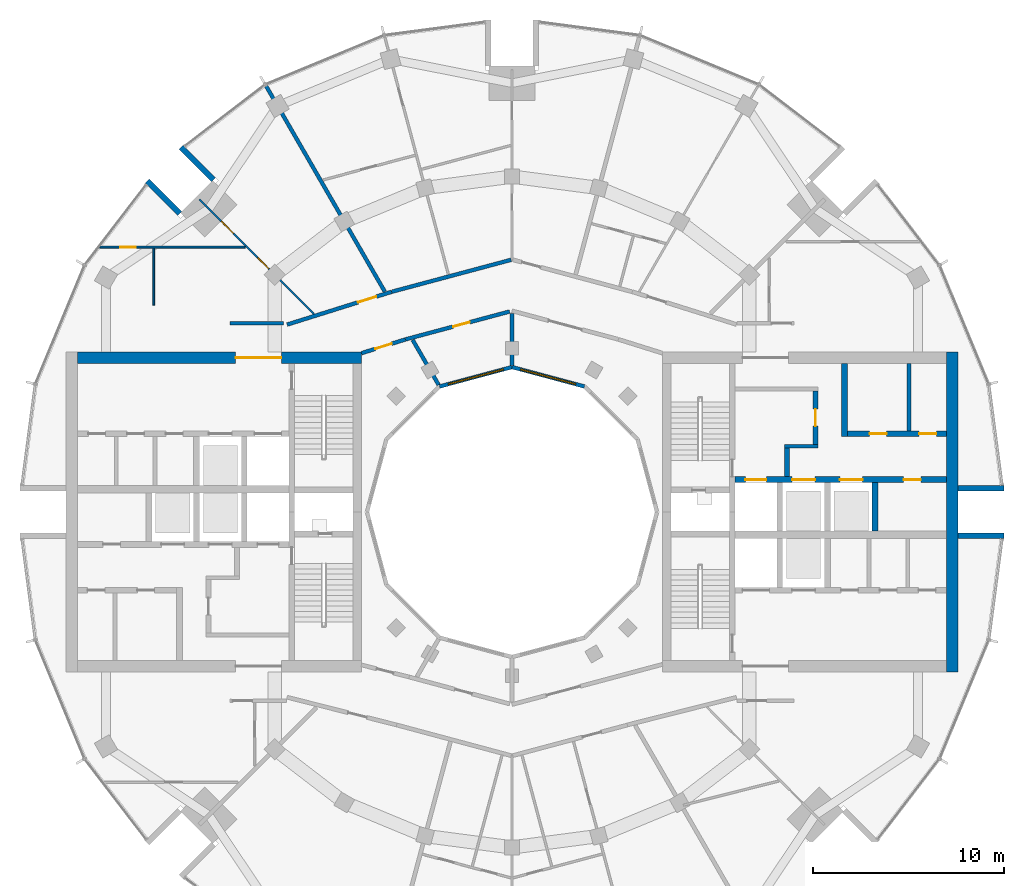
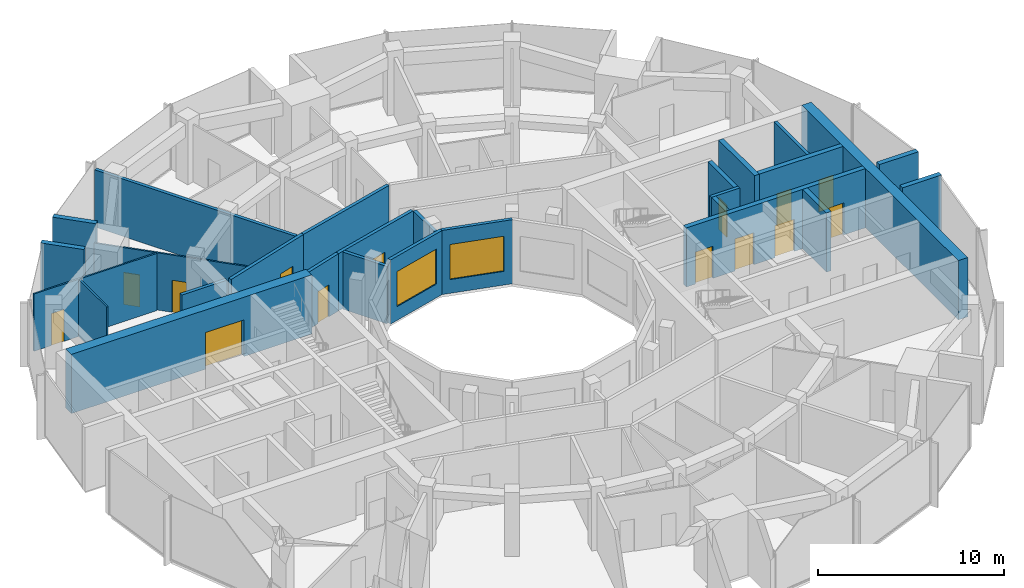
# One storey, part 11 of 15: 27 walls, 14 doors, 2 windows, 16 openings.
"""IFC4 building model written with IfcOpenShell, lengths in metres."""

from ifc_helpers import new_model, si_unit, direction, frame, frame_2d, origin, place, context, subcontext, project, spatial, rectangle, extrude, material, layer, layer_set, type_object, element, fill, save


model = new_model("IFC4")

# Units and contexts
model_context = context("Model", 3, precision=1e-05, world=origin(), true_north=direction((0.0, 1.0)))
body_context = subcontext(model_context, "Body", "Model", "MODEL_VIEW")
ifc_project = project(units=[si_unit("LENGTHUNIT", "METRE"), si_unit("AREAUNIT", "SQUARE_METRE"), si_unit("VOLUMEUNIT", "CUBIC_METRE"), si_unit("PLANEANGLEUNIT", "RADIAN"), si_unit("MASSUNIT", "GRAM", prefix="KILO")], contexts=[model_context])

# Site, building, storey
site_placement = place(None, origin())
site = spatial("IfcSite", under=ifc_project, at=site_placement, CompositionType="ELEMENT")
building_placement = place(site_placement, origin())
building = spatial("IfcBuilding", under=site, at=building_placement, Name="Torre Brocal", CompositionType="ELEMENT")
storey_placement = place(building_placement, frame((0.0, 0.0, 262.5)))
storey = spatial("IfcBuildingStorey", under=building, at=storey_placement, Name="L60", CompositionType="ELEMENT", Elevation=262.5)

# Walls
ifc_material_1 = material(Name="Masonry block", Category="masonry")
ifc_layer_1 = layer(ifc_material_1, 0.199951171875)
ifc_layer_set_1 = layer_set([ifc_layer_1], Name="Masonry block")
wall_type_1 = type_object("IfcWallType", Name="CORE PARTITION 200", PredefinedType="PARTITIONING", material=ifc_layer_set_1)
wall_1_placement = place(storey_placement, frame((100.823974609375, 79.25, 0.0), z_axis=(0.0, 0.0, 1.0), x_axis=(0.0, 1.0, 0.0)))
element("IfcWall", 1, at=wall_1_placement, inside=storey, type_object=wall_type_1, Name="Wall CP200", PredefinedType="PARTITIONING", context=body_context, shape_type="SweptSolid", body=[
    extrude(rectangle(XDim=3.550048828125, YDim=0.199951171875, at=frame_2d((1.77490234375, 0.0))), origin(), (0.0, 0.0, 1.0), 3.8798828125),
])
ifc_material_2 = material(Name="Concrete C60", Category="concrete")
ifc_layer_2 = layer(ifc_material_2, 0.199951171875)
ifc_layer_set_2 = layer_set([ifc_layer_2], Name="Concrete C60")
wall_type_2 = type_object("IfcWallType", Name="CORE WALL 200 C60", PredefinedType="SHEAR", material=ifc_layer_set_2)
wall_2_placement = place(storey_placement, frame((94.300048828125, 78.449951171875, 0.0), z_axis=(0.0, 0.0, 1.0), x_axis=(1.0, 0.0, 0.0)))
element("IfcWall", 2, at=wall_2_placement, inside=storey, type_object=wall_type_2, Name="Wall CW200-60", PredefinedType="SHEAR", context=body_context, shape_type="SweptSolid", body=[
    extrude(rectangle(XDim=1.75, YDim=0.199951171875, at=frame_2d((0.875, 0.0))), origin(), (0.0, 0.0, 1.0), 3.8798828125),
])

# Wall, opening, door
ifc_material_3 = material(Name="Concrete C60", Category="concrete")
ifc_layer_3 = layer(ifc_material_3, 0.25)
ifc_layer_set_3 = layer_set([ifc_layer_3], Name="Concrete C60")
wall_type_3 = type_object("IfcWallType", Name="CORE WALL 250 C60", PredefinedType="SHEAR", material=ifc_layer_set_3)
wall_3_placement = place(storey_placement, frame((95.925048828125, 78.550048828125, 0.0), z_axis=(0.0, 0.0, 1.0), x_axis=(0.0, 1.0, 0.0)))
wall_3 = element("IfcWall", 3, at=wall_3_placement, inside=storey, type_object=wall_type_3, Name="Wall CW250-60", PredefinedType="SHEAR", context=body_context, shape_type="SweptSolid", body=[
    extrude(rectangle(XDim=2.800048828125, YDim=0.25, at=frame_2d((1.39990234375, 0.0))), origin(), (0.0, 0.0, 1.0), 3.8798828125),
])
opening_1_placement = place(wall_3_placement, frame((0.949951171875, 0.0, 0.0)))
opening_1 = element("IfcOpeningElement", 4, at=opening_1_placement, cuts=wall_3, Name="Opening E-D08", PredefinedType="OPENING", context=body_context, shape_type="SweptSolid", body=[
    extrude(rectangle(XDim=0.89990234375, YDim=2.10009765625, at=frame_2d((0.449951171875, 1.050048828125))), frame((0.0, 0.135009765625, 0.0), z_axis=(0.0, -1.0, 0.0), x_axis=(1.0, 0.0, 0.0)), (0.0, 0.0, 1.0), 0.27001953125),
])
ifc_material_4 = material(Name="Steel A653", Category="steel")
door_type_1 = type_object("IfcDoorType", Name="LOBBY DOOR FD120 900X2100", OperationType="SINGLE_SWING_RIGHT", PredefinedType="DOOR", material=ifc_material_4)
door_1_placement = place(opening_1_placement, origin())
door_1 = element("IfcDoor", 5, at=door_1_placement, inside=storey, type_object=door_type_1, Name="Door E-D08", OperationType="SINGLE_SWING_LEFT", OverallHeight=2.10009765625, OverallWidth=0.89990234375, PredefinedType="DOOR", context=body_context, shape_type="SweptSolid", body=[
    extrude(rectangle(XDim=0.89990234375, YDim=2.10009765625, at=frame_2d((0.449951171875, 1.050048828125))), frame((0.0, 0.02490234375, 0.0), z_axis=(0.0, -1.0, 0.0), x_axis=(1.0, 0.0, 0.0)), (0.0, 0.0, 1.0), 0.050048828125),
])
fill(opening_1, door_1)

# Wall
wall_4_placement = place(storey_placement, frame((94.425048828125, 76.85009765625, 0.0), z_axis=(0.0, 0.0, 1.0), x_axis=(0.0, 1.0, 0.0)))
element("IfcWall", 6, at=wall_4_placement, inside=storey, type_object=wall_type_3, Name="Wall CW250-60", PredefinedType="SHEAR", context=body_context, shape_type="SweptSolid", body=[
    extrude(rectangle(XDim=1.5, YDim=0.25, at=frame_2d((0.75, 0.0))), origin(), (0.0, 0.0, 1.0), 3.8798828125),
])

# Wall, openings, doors
ifc_material_5 = material(Name="Concrete C60", Category="concrete")
ifc_layer_4 = layer(ifc_material_5, 0.300048828125)
ifc_layer_set_4 = layer_set([ifc_layer_4], Name="Concrete C60")
wall_type_4 = type_object("IfcWallType", Name="CORE WALL 300 C60", PredefinedType="SHEAR", material=ifc_layer_set_4)
wall_5_placement = place(storey_placement, frame((91.699951171875, 76.699951171875, 0.0), z_axis=(0.0, 0.0, 1.0), x_axis=(1.0, 0.0, 0.0)))
wall_5 = element("IfcWall", 7, at=wall_5_placement, inside=storey, type_object=wall_type_4, Name="Wall CW300-60", PredefinedType="SHEAR", context=body_context, shape_type="SweptSolid", body=[
    extrude(rectangle(XDim=11.10009765625, YDim=0.300048828125, at=frame_2d((5.550048828125, 0.0))), origin(), (0.0, 0.0, 1.0), 3.8798828125),
])
opening_2_placement = place(wall_5_placement, frame((0.550048828125, 0.0, 0.0)))
opening_2 = element("IfcOpeningElement", 8, at=opening_2_placement, cuts=wall_5, Name="Opening LD", PredefinedType="OPENING", context=body_context, shape_type="SweptSolid", body=[
    extrude(rectangle(XDim=1.10009765625, YDim=2.10009765625, at=frame_2d((0.550048828125, 1.050048828125))), frame((0.0, 0.159912109375, 0.0), z_axis=(0.0, -1.0, 0.0), x_axis=(1.0, 0.0, 0.0)), (0.0, 0.0, 1.0), 0.320068359375),
])
opening_3_placement = place(wall_5_placement, frame((3.0, 0.0, 0.0)))
opening_3 = element("IfcOpeningElement", 9, at=opening_3_placement, cuts=wall_5, Name="Opening LD12", PredefinedType="OPENING", context=body_context, shape_type="SweptSolid", body=[
    extrude(rectangle(XDim=1.199951171875, YDim=2.10009765625, at=frame_2d((0.60009765625, 1.050048828125))), frame((0.0, 0.159912109375, 0.0), z_axis=(0.0, -1.0, 0.0), x_axis=(1.0, 0.0, 0.0)), (0.0, 0.0, 1.0), 0.320068359375),
])
opening_4_placement = place(wall_5_placement, frame((5.5, 0.0, 0.0)))
opening_4 = element("IfcOpeningElement", 10, at=opening_4_placement, cuts=wall_5, Name="Opening LD12", PredefinedType="OPENING", context=body_context, shape_type="SweptSolid", body=[
    extrude(rectangle(XDim=1.199951171875, YDim=2.10009765625, at=frame_2d((0.60009765625, 1.050048828125))), frame((0.0, 0.159912109375, 0.0), z_axis=(0.0, -1.0, 0.0), x_axis=(1.0, 0.0, 0.0)), (0.0, 0.0, 1.0), 0.320068359375),
])
opening_5_placement = place(wall_5_placement, frame((8.85009765625, 0.0, 0.0)))
opening_5 = element("IfcOpeningElement", 11, at=opening_5_placement, cuts=wall_5, Name="Opening E-D04", PredefinedType="OPENING", context=body_context, shape_type="SweptSolid", body=[
    extrude(rectangle(XDim=0.89990234375, YDim=2.10009765625, at=frame_2d((0.449951171875, 1.050048828125))), frame((0.0, 0.159912109375, 0.0), z_axis=(0.0, -1.0, 0.0), x_axis=(1.0, 0.0, 0.0)), (0.0, 0.0, 1.0), 0.320068359375),
])
ifc_material_6 = material(Name="Stainless steel AISI 316", Category="steel")
door_type_2 = type_object("IfcDoorType", Name="LIFT LANDING DOOR 1100X2100", OperationType="DOUBLE_DOOR_SLIDING", PredefinedType="DOOR", material=ifc_material_6)
door_2_placement = place(opening_2_placement, origin())
door_2 = element("IfcDoor", 12, at=door_2_placement, inside=storey, type_object=door_type_2, Name="Door LD", OperationType="DOUBLE_DOOR_SLIDING", OverallHeight=2.10009765625, OverallWidth=1.10009765625, PredefinedType="DOOR", context=body_context, shape_type="SweptSolid", body=[
    extrude(rectangle(XDim=1.10009765625, YDim=2.10009765625, at=frame_2d((0.550048828125, 1.050048828125))), frame((0.0, 0.02490234375, 0.0), z_axis=(0.0, -1.0, 0.0), x_axis=(1.0, 0.0, 0.0)), (0.0, 0.0, 1.0), 0.050048828125),
])
fill(opening_2, door_2)
ifc_material_7 = material(Name="Stainless steel AISI 316", Category="steel")
door_type_3 = type_object("IfcDoorType", Name="LIFT LANDING DOOR 1200X2100", OperationType="DOUBLE_DOOR_SLIDING", PredefinedType="DOOR", material=ifc_material_7)
door_3_placement = place(opening_3_placement, origin())
door_3 = element("IfcDoor", 13, at=door_3_placement, inside=storey, type_object=door_type_3, Name="Door LD12", OperationType="DOUBLE_DOOR_SLIDING", OverallHeight=2.10009765625, OverallWidth=1.199951171875, PredefinedType="DOOR", context=body_context, shape_type="SweptSolid", body=[
    extrude(rectangle(XDim=1.199951171875, YDim=2.10009765625, at=frame_2d((0.60009765625, 1.050048828125))), frame((0.0, 0.02490234375, 0.0), z_axis=(0.0, -1.0, 0.0), x_axis=(1.0, 0.0, 0.0)), (0.0, 0.0, 1.0), 0.050048828125),
])
fill(opening_3, door_3)
door_4_placement = place(opening_4_placement, origin())
door_4 = element("IfcDoor", 14, at=door_4_placement, inside=storey, type_object=door_type_3, Name="Door LD12", OperationType="DOUBLE_DOOR_SLIDING", OverallHeight=2.10009765625, OverallWidth=1.199951171875, PredefinedType="DOOR", context=body_context, shape_type="SweptSolid", body=[
    extrude(rectangle(XDim=1.199951171875, YDim=2.10009765625, at=frame_2d((0.60009765625, 1.050048828125))), frame((0.0, 0.02490234375, 0.0), z_axis=(0.0, -1.0, 0.0), x_axis=(1.0, 0.0, 0.0)), (0.0, 0.0, 1.0), 0.050048828125),
])
fill(opening_4, door_4)
ifc_material_8 = material(Name="Steel A653", Category="steel")
door_type_4 = type_object("IfcDoorType", Name="ROOM DOOR FD30S 900X2100", OperationType="SINGLE_SWING_LEFT", PredefinedType="DOOR", material=ifc_material_8)
door_5_placement = place(opening_5_placement, frame((0.89990234375, 0.0, 0.0), z_axis=(0.0, 0.0, 1.0), x_axis=(-1.0, 0.0, 0.0)))
door_5 = element("IfcDoor", 15, at=door_5_placement, inside=storey, type_object=door_type_4, Name="Door E-D04", OperationType="SINGLE_SWING_LEFT", OverallHeight=2.10009765625, OverallWidth=0.89990234375, PredefinedType="DOOR", context=body_context, shape_type="SweptSolid", body=[
    extrude(rectangle(XDim=0.89990234375, YDim=2.10009765625, at=frame_2d((0.449951171875, 1.050048828125))), frame((0.0, 0.02490234375, 0.0), z_axis=(0.0, -1.0, 0.0), x_axis=(1.0, 0.0, 0.0)), (0.0, 0.0, 1.0), 0.050048828125),
])
fill(opening_5, door_5)

# Walls
wall_6_placement = place(storey_placement, frame((99.050048828125, 74.0, 0.0), z_axis=(0.0, 0.0, 1.0), x_axis=(0.0, 1.0, 0.0)))
element("IfcWall", 16, at=wall_6_placement, inside=storey, type_object=wall_type_4, Name="Wall CW300-60", PredefinedType="SHEAR", context=body_context, shape_type="SweptSolid", body=[
    extrude(rectangle(XDim=2.550048828125, YDim=0.300048828125, at=frame_2d((1.27490234375, 0.0))), origin(), (0.0, 0.0, 1.0), 3.8798828125),
])
wall_7_placement = place(storey_placement, frame((97.449951171875, 78.949951171875, 0.0), z_axis=(0.0, 0.0, 1.0), x_axis=(0.0, 1.0, 0.0)))
element("IfcWall", 17, at=wall_7_placement, inside=storey, type_object=wall_type_4, Name="Wall CW300-60", PredefinedType="SHEAR", context=body_context, shape_type="SweptSolid", body=[
    extrude(rectangle(XDim=3.85009765625, YDim=0.300048828125, at=frame_2d((1.925048828125, 0.0))), origin(), (0.0, 0.0, 1.0), 3.8798828125),
])

# Wall, openings, doors
wall_8_placement = place(storey_placement, frame((97.60009765625, 79.10009765625, 0.0), z_axis=(0.0, 0.0, 1.0), x_axis=(1.0, 0.0, 0.0)))
wall_8 = element("IfcWall", 18, at=wall_8_placement, inside=storey, type_object=wall_type_4, Name="Wall CW300-60", PredefinedType="SHEAR", context=body_context, shape_type="SweptSolid", body=[
    extrude(rectangle(XDim=5.199951171875, YDim=0.300048828125, at=frame_2d((2.60009765625, 0.0))), origin(), (0.0, 0.0, 1.0), 3.8798828125),
])
opening_6_placement = place(wall_8_placement, frame((1.162109375, 0.0, 0.0)))
opening_6 = element("IfcOpeningElement", 19, at=opening_6_placement, cuts=wall_8, Name="Opening E-D09", PredefinedType="OPENING", context=body_context, shape_type="SweptSolid", body=[
    extrude(rectangle(XDim=0.89990234375, YDim=2.10009765625, at=frame_2d((0.449951171875, 1.050048828125))), frame((0.0, 0.159912109375, 0.0), z_axis=(0.0, -1.0, 0.0), x_axis=(1.0, 0.0, 0.0)), (0.0, 0.0, 1.0), 0.320068359375),
])
opening_7_placement = place(wall_8_placement, frame((3.761962890625, 0.0, 0.0)))
opening_7 = element("IfcOpeningElement", 20, at=opening_7_placement, cuts=wall_8, Name="Opening E-D10", PredefinedType="OPENING", context=body_context, shape_type="SweptSolid", body=[
    extrude(rectangle(XDim=0.89990234375, YDim=2.10009765625, at=frame_2d((0.449951171875, 1.050048828125))), frame((0.0, 0.159912109375, 0.0), z_axis=(0.0, -1.0, 0.0), x_axis=(1.0, 0.0, 0.0)), (0.0, 0.0, 1.0), 0.320068359375),
])
door_6_placement = place(opening_6_placement, origin())
door_6 = element("IfcDoor", 21, at=door_6_placement, inside=storey, type_object=door_type_4, Name="Door E-D09", OperationType="SINGLE_SWING_RIGHT", OverallHeight=2.10009765625, OverallWidth=0.89990234375, PredefinedType="DOOR", context=body_context, shape_type="SweptSolid", body=[
    extrude(rectangle(XDim=0.89990234375, YDim=2.10009765625, at=frame_2d((0.449951171875, 1.050048828125))), frame((0.0, 0.02490234375, 0.0), z_axis=(0.0, -1.0, 0.0), x_axis=(1.0, 0.0, 0.0)), (0.0, 0.0, 1.0), 0.050048828125),
])
fill(opening_6, door_6)
door_7_placement = place(opening_7_placement, origin())
door_7 = element("IfcDoor", 22, at=door_7_placement, inside=storey, type_object=door_type_4, Name="Door E-D10", OperationType="SINGLE_SWING_LEFT", OverallHeight=2.10009765625, OverallWidth=0.89990234375, PredefinedType="DOOR", context=body_context, shape_type="SweptSolid", body=[
    extrude(rectangle(XDim=0.89990234375, YDim=2.10009765625, at=frame_2d((0.449951171875, 1.050048828125))), frame((0.0, 0.02490234375, 0.0), z_axis=(0.0, -1.0, 0.0), x_axis=(1.0, 0.0, 0.0)), (0.0, 0.0, 1.0), 0.050048828125),
])
fill(opening_7, door_7)

# Wall
ifc_material_9 = material(Name="Concrete C60", Category="concrete")
ifc_layer_5 = layer(ifc_material_9, 0.60009765625)
ifc_layer_set_5 = layer_set([ifc_layer_5], Name="Concrete C60")
wall_type_5 = type_object("IfcWallType", Name="CORE WALL 600 C60", PredefinedType="SHEAR", material=ifc_layer_set_5)
wall_9_placement = place(storey_placement, frame((103.10009765625, 66.60009765625, 0.0), z_axis=(0.0, 0.0, 1.0), x_axis=(0.0, 1.0, 0.0)))
element("IfcWall", 23, at=wall_9_placement, inside=storey, type_object=wall_type_5, Name="Wall CW600-60", PredefinedType="SHEAR", context=body_context, shape_type="SweptSolid", body=[
    extrude(rectangle(XDim=16.7998046875, YDim=0.60009765625, at=frame_2d((8.39990234375, 0.0))), origin(), (0.0, 0.0, 1.0), 3.8798828125),
])

# Wall, opening, door
wall_10_placement = place(storey_placement, frame((72.10009765625, 83.10009765625, 0.0), z_axis=(0.0, 0.0, 1.0), x_axis=(-1.0, 0.0, 0.0)))
wall_10 = element("IfcWall", 24, at=wall_10_placement, inside=storey, type_object=wall_type_5, Name="Wall CW600-60", PredefinedType="SHEAR", context=body_context, shape_type="SweptSolid", body=[
    extrude(rectangle(XDim=14.900146484375, YDim=0.60009765625, at=frame_2d((7.4501953125, 0.0))), origin(), (0.0, 0.0, 1.0), 3.8798828125),
])
opening_8_placement = place(wall_10_placement, frame((4.199951171875, 0.0, 0.0)))
opening_8 = element("IfcOpeningElement", 25, at=opening_8_placement, cuts=wall_10, Name="Opening W-D12", PredefinedType="OPENING", context=body_context, shape_type="SweptSolid", body=[
    extrude(rectangle(XDim=2.39990234375, YDim=2.39990234375, at=frame_2d((1.199951171875, 1.199951171875))), frame((0.0, 0.31005859375, 0.0), z_axis=(0.0, -1.0, 0.0), x_axis=(1.0, 0.0, 0.0)), (0.0, 0.0, 1.0), 0.6201171875),
])
ifc_material_10 = material(Name="Steel A653", Category="steel")
door_type_5 = type_object("IfcDoorType", Name="DOUBLE FIRE DOOR FD90 2400X2400", OperationType="DOUBLE_DOOR_SINGLE_SWING", PredefinedType="DOOR", material=ifc_material_10)
door_8_placement = place(opening_8_placement, origin())
door_8 = element("IfcDoor", 26, at=door_8_placement, inside=storey, type_object=door_type_5, Name="Door W-D12", OperationType="DOUBLE_DOOR_SINGLE_SWING", OverallHeight=2.39990234375, OverallWidth=2.39990234375, PredefinedType="DOOR", context=body_context, shape_type="SweptSolid", body=[
    extrude(rectangle(XDim=2.39990234375, YDim=2.39990234375, at=frame_2d((1.199951171875, 1.199951171875))), frame((0.0, 0.02490234375, 0.0), z_axis=(0.0, -1.0, 0.0), x_axis=(1.0, 0.0, 0.0)), (0.0, 0.0, 1.0), 0.050048828125),
])
fill(opening_8, door_8)

# Walls
ifc_material_11 = material(Name="Concrete C60", Category="concrete")
ifc_layer_6 = layer(ifc_material_11, 0.300048828125)
ifc_layer_set_6 = layer_set([ifc_layer_6], Name="Concrete C60")
wall_type_6 = type_object("IfcWallType", Name="NOTCH RETURN WALL 300 C60", PredefinedType="NOTDEFINED", material=ifc_layer_set_6)
for number, where, z_axis, x_axis, name in (
    (27, (103.39990234375, 73.75, 0.0), (0.0, 0.0, 1.0), (1.0, 0.0, 0.0), "NOTCH RETURN WALL"),
    (28, (103.39990234375, 76.25, 0.0), (0.0, 0.0, 1.0), (1.0, 0.0, 0.0), "NOTCH RETURN WALL"),
    (29, (64.337646484375, 92.43017578125, 0.0), (0.0, 0.0, 1.0), (-0.707106781187, 0.707106781187, 0.0), "NOTCH RETURN WALL"),
    (30, (62.56982421875, 90.662353515625, 0.0), (0.0, 0.0, 1.0), (-0.707106781187, 0.707106781187, 0.0), "NOTCH RETURN WALL"),
):
    element("IfcWall", number, at=place(storey_placement, frame(where, z_axis=z_axis, x_axis=x_axis)), inside=storey, type_object=wall_type_6, Name=name, PredefinedType="NOTDEFINED", context=body_context, shape_type="SweptSolid", body=[
        extrude(rectangle(XDim=2.415771484375, YDim=0.300048828125, at=frame_2d((1.2080078125, 0.0))), origin(), (0.0, 0.0, 1.0), 4.199951171875),
    ])

# Wall, opening, door
ifc_material_12 = material(Name="Gypsum board", Category="Gypsum")
ifc_layer_7 = layer(ifc_material_12, 0.10009765625)
ifc_layer_set_7 = layer_set([ifc_layer_7], Name="Gypsum board")
wall_type_7 = type_object("IfcWallType", Name="PARTITION 100", PredefinedType="PARTITIONING", material=ifc_layer_set_7)
wall_11_placement = place(storey_placement, frame((58.37890625, 88.89990234375, 0.0), z_axis=(0.0, 0.0, 1.0), x_axis=(1.0, 0.0, 0.0)))
wall_11 = element("IfcWall", 31, at=wall_11_placement, inside=storey, type_object=wall_type_7, Name="BATHROOM WALL", PredefinedType="PARTITIONING", context=body_context, shape_type="SweptSolid", body=[
    extrude(rectangle(XDim=7.612060546875, YDim=0.10009765625, at=frame_2d((3.80615234375, 0.0))), origin(), (0.0, 0.0, 1.0), 3.75),
])
opening_9_placement = place(wall_11_placement, frame((1.075439453125, 0.0, 0.0)))
opening_9 = element("IfcOpeningElement", 32, at=opening_9_placement, cuts=wall_11, Name="Opening B05-D15", PredefinedType="OPENING", context=body_context, shape_type="SweptSolid", body=[
    extrude(rectangle(XDim=0.800048828125, YDim=2.10009765625, at=frame_2d((0.39990234375, 1.050048828125))), frame((0.0, 0.06005859375, 0.0), z_axis=(0.0, -1.0, 0.0), x_axis=(1.0, 0.0, 0.0)), (0.0, 0.0, 1.0), 0.1201171875),
])
ifc_material_13 = material(Name="Timber", Category="wood")
door_type_6 = type_object("IfcDoorType", Name="BATHROOM DOOR 800X2100", OperationType="SINGLE_SWING_LEFT", PredefinedType="DOOR", material=ifc_material_13)
door_9_placement = place(opening_9_placement, frame((0.800048828125, 0.0, 0.0), z_axis=(0.0, 0.0, 1.0), x_axis=(-1.0, 0.0, 0.0)))
door_9 = element("IfcDoor", 33, at=door_9_placement, inside=storey, type_object=door_type_6, Name="B05-D15", OperationType="SINGLE_SWING_LEFT", OverallHeight=2.10009765625, OverallWidth=0.800048828125, PredefinedType="DOOR", context=body_context, shape_type="SweptSolid", body=[
    extrude(rectangle(XDim=0.800048828125, YDim=2.10009765625, at=frame_2d((0.39990234375, 1.050048828125))), frame((0.0, 0.02490234375, 0.0), z_axis=(0.0, -1.0, 0.0), x_axis=(1.0, 0.0, 0.0)), (0.0, 0.0, 1.0), 0.050048828125),
])
fill(opening_9, door_9)

# Wall
wall_12_placement = place(storey_placement, frame((61.199951171875, 85.85498046875, 0.0), z_axis=(0.0, 0.0, 1.0), x_axis=(0.0, 1.0, 0.0)))
element("IfcWall", 34, at=wall_12_placement, inside=storey, type_object=wall_type_7, Name="BATHROOM WALL", PredefinedType="PARTITIONING", context=body_context, shape_type="SweptSolid", body=[
    extrude(rectangle(XDim=2.9951171875, YDim=0.10009765625, at=frame_2d((1.49755859375, 0.0))), origin(), (0.0, 0.0, 1.0), 3.75),
])

# Wall, openings, doors
wall_13_placement = place(storey_placement, frame((63.598388671875, 91.408203125, 0.0), z_axis=(0.0, 0.0, 1.0), x_axis=(0.706905682311, -0.707307822886, 0.0)))
wall_13 = element("IfcWall", 35, at=wall_13_placement, inside=storey, type_object=wall_type_7, Name="BATHROOM WALL", PredefinedType="PARTITIONING", context=body_context, shape_type="SweptSolid", body=[
    extrude(rectangle(XDim=8.49951171875, YDim=0.10009765625, at=frame_2d((4.249755859375, 0.0))), origin(), (0.0, 0.0, 1.0), 3.75),
])
opening_10_placement = place(wall_13_placement, frame((1.6318359375, 0.0, 0.0)))
opening_10 = element("IfcOpeningElement", 36, at=opening_10_placement, cuts=wall_13, Name="Opening B05-D14", PredefinedType="OPENING", context=body_context, shape_type="SweptSolid", body=[
    extrude(rectangle(XDim=0.89990234375, YDim=2.10009765625, at=frame_2d((0.449951171875, 1.050048828125))), frame((0.0, 0.06005859375, 0.0), z_axis=(0.0, -1.0, 0.0), x_axis=(1.0, 0.0, 0.0)), (0.0, 0.0, 1.0), 0.1201171875),
])
opening_11_placement = place(wall_13_placement, frame((4.336181640625, 0.0, 0.0)))
opening_11 = element("IfcOpeningElement", 37, at=opening_11_placement, cuts=wall_13, Name="Opening B05-D16", PredefinedType="OPENING", context=body_context, shape_type="SweptSolid", body=[
    extrude(rectangle(XDim=0.800048828125, YDim=2.10009765625, at=frame_2d((0.39990234375, 1.050048828125))), frame((0.0, 0.06005859375, 0.0), z_axis=(0.0, -1.0, 0.0), x_axis=(1.0, 0.0, 0.0)), (0.0, 0.0, 1.0), 0.1201171875),
])
door_10_placement = place(opening_11_placement, frame((0.800048828125, 0.0, 0.0), z_axis=(0.0, 0.0, 1.0), x_axis=(-1.0, 0.0, 0.0)))
door_10 = element("IfcDoor", 38, at=door_10_placement, inside=storey, type_object=door_type_6, Name="B05-D16", OperationType="SINGLE_SWING_RIGHT", OverallHeight=2.10009765625, OverallWidth=0.800048828125, PredefinedType="DOOR", context=body_context, shape_type="SweptSolid", body=[
    extrude(rectangle(XDim=0.800048828125, YDim=2.10009765625, at=frame_2d((0.39990234375, 1.050048828125))), frame((0.0, 0.02490234375, 0.0), z_axis=(0.0, -1.0, 0.0), x_axis=(1.0, 0.0, 0.0)), (0.0, 0.0, 1.0), 0.050048828125),
])
fill(opening_11, door_10)
ifc_material_14 = material(Name="Timber", Category="wood")
door_type_7 = type_object("IfcDoorType", Name="ROOM DOOR 900X2100", OperationType="SINGLE_SWING_LEFT", PredefinedType="DOOR", material=ifc_material_14)
door_11_placement = place(opening_10_placement, frame((0.89990234375, 0.0, 0.0), z_axis=(0.0, 0.0, 1.0), x_axis=(-1.0, 0.0, 0.0)))
door_11 = element("IfcDoor", 39, at=door_11_placement, inside=storey, type_object=door_type_7, Name="B05-D14", OperationType="SINGLE_SWING_LEFT", OverallHeight=2.10009765625, OverallWidth=0.89990234375, PredefinedType="DOOR", context=body_context, shape_type="SweptSolid", body=[
    extrude(rectangle(XDim=0.89990234375, YDim=2.10009765625, at=frame_2d((0.449951171875, 1.050048828125))), frame((0.0, 0.02490234375, 0.0), z_axis=(0.0, -1.0, 0.0), x_axis=(1.0, 0.0, 0.0)), (0.0, 0.0, 1.0), 0.050048828125),
])
fill(opening_10, door_11)

# Walls
ifc_material_15 = material(Name="Gypsum board", Category="Gypsum")
ifc_layer_8 = layer(ifc_material_15, 0.199951171875)
ifc_layer_set_8 = layer_set([ifc_layer_8], Name="Gypsum board")
wall_type_8 = type_object("IfcWallType", Name="PARTITION 200 EI60", PredefinedType="PARTITIONING", material=ifc_layer_set_8)
wall_14_placement = place(storey_placement, frame((65.199951171875, 84.89990234375, 0.0), z_axis=(0.0, 0.0, 1.0), x_axis=(1.0, 0.0, 0.0)))
element("IfcWall", 40, at=wall_14_placement, inside=storey, type_object=wall_type_8, Name="CORRIDOR WALL", PredefinedType="PARTITIONING", context=body_context, shape_type="SweptSolid", body=[
    extrude(rectangle(XDim=2.800048828125, YDim=0.199951171875, at=frame_2d((1.39990234375, 0.0))), origin(), (0.0, 0.0, 1.0), 3.75),
])
wall_15_placement = place(storey_placement, frame((67.103759765625, 97.343017578125, 0.0), z_axis=(0.0, 0.0, 1.0), x_axis=(0.499894524629, -0.866086291455, 0.0)))
element("IfcWall", 41, at=wall_15_placement, inside=storey, type_object=wall_type_8, Name="BATHROOM WALL", PredefinedType="PARTITIONING", context=body_context, shape_type="SweptSolid", body=[
    extrude(rectangle(XDim=12.446044921875, YDim=0.199951171875, at=frame_2d((6.22314453125, 0.0))), origin(), (0.0, 0.0, 1.0), 3.75),
])

# Wall, opening, door
wall_16_placement = place(storey_placement, frame((68.199951171875, 84.83349609375, 0.0), z_axis=(0.0, 0.0, 1.0), x_axis=(0.954204109499, 0.299156342762, 0.0)))
wall_16 = element("IfcWall", 42, at=wall_16_placement, inside=storey, type_object=wall_type_8, Name="FLAT ENTRANCE WALL", PredefinedType="PARTITIONING", context=body_context, shape_type="SweptSolid", body=[
    extrude(rectangle(XDim=5.740478515625, YDim=0.199951171875, at=frame_2d((2.8701171875, 0.0))), origin(), (0.0, 0.0, 1.0), 3.75),
])
opening_12_placement = place(wall_16_placement, frame((3.90283203125, 0.0, 0.0)))
opening_12 = element("IfcOpeningElement", 43, at=opening_12_placement, cuts=wall_16, Name="Opening B05-D13", PredefinedType="OPENING", context=body_context, shape_type="SweptSolid", body=[
    extrude(rectangle(XDim=1.0, YDim=2.10009765625, at=frame_2d((0.5, 1.050048828125))), frame((0.0, 0.10986328125, 0.0), z_axis=(0.0, -1.0, 0.0), x_axis=(1.0, 0.0, 0.0)), (0.0, 0.0, 1.0), 0.219970703125),
])
ifc_material_16 = material(Name="Timber", Category="wood")
door_type_8 = type_object("IfcDoorType", Name="FLAT ENTRY DOOR FD30S 1000X2100", OperationType="SINGLE_SWING_RIGHT", PredefinedType="DOOR", material=ifc_material_16)
door_12_placement = place(opening_12_placement, origin())
door_12 = element("IfcDoor", 44, at=door_12_placement, inside=storey, type_object=door_type_8, Name="B05-D13", OperationType="SINGLE_SWING_RIGHT", OverallHeight=2.10009765625, OverallWidth=1.0, PredefinedType="DOOR", context=body_context, shape_type="SweptSolid", body=[
    extrude(rectangle(XDim=1.0, YDim=2.10009765625, at=frame_2d((0.5, 1.050048828125))), frame((0.0, 0.02490234375, 0.0), z_axis=(0.0, -1.0, 0.0), x_axis=(1.0, 0.0, 0.0)), (0.0, 0.0, 1.0), 0.050048828125),
])
fill(opening_12, door_12)

wall_17_placement = place(storey_placement, frame((72.10009765625, 83.33203125, 0.0), z_axis=(0.0, 0.0, 1.0), x_axis=(0.954233106619, 0.299063836383, 0.0)))
wall_17 = element("IfcWall", 45, at=wall_17_placement, inside=storey, type_object=wall_type_8, Name="CORRIDOR WALL", PredefinedType="PARTITIONING", context=body_context, shape_type="SweptSolid", body=[
    extrude(rectangle(XDim=2.4140625, YDim=0.199951171875, at=frame_2d((1.20703125, 0.0))), origin(), (0.0, 0.0, 1.0), 3.75),
])
opening_13_placement = place(wall_17_placement, frame((0.761962890625, 0.0, 0.0)))
opening_13 = element("IfcOpeningElement", 46, at=opening_13_placement, cuts=wall_17, Name="Opening B05-D19", PredefinedType="OPENING", context=body_context, shape_type="SweptSolid", body=[
    extrude(rectangle(XDim=0.89990234375, YDim=2.10009765625, at=frame_2d((0.449951171875, 1.050048828125))), frame((0.0, 0.10986328125, 0.0), z_axis=(0.0, -1.0, 0.0), x_axis=(1.0, 0.0, 0.0)), (0.0, 0.0, 1.0), 0.219970703125),
])
door_13_placement = place(opening_13_placement, frame((0.89990234375, 0.0, 0.0), z_axis=(0.0, 0.0, 1.0), x_axis=(-1.0, 0.0, 0.0)))
door_13 = element("IfcDoor", 47, at=door_13_placement, inside=storey, type_object=door_type_7, Name="B05-D19", OperationType="SINGLE_SWING_RIGHT", OverallHeight=2.10009765625, OverallWidth=0.89990234375, PredefinedType="DOOR", context=body_context, shape_type="SweptSolid", body=[
    extrude(rectangle(XDim=0.89990234375, YDim=2.10009765625, at=frame_2d((0.449951171875, 1.050048828125))), frame((0.0, 0.02490234375, 0.0), z_axis=(0.0, -1.0, 0.0), x_axis=(1.0, 0.0, 0.0)), (0.0, 0.0, 1.0), 0.050048828125),
])
fill(opening_13, door_13)

# Wall
wall_18_placement = place(storey_placement, frame((73.68701171875, 86.55419921875, 0.0), z_axis=(0.0, 0.0, 1.0), x_axis=(0.965961994098, 0.258684027257, 0.0)))
element("IfcWall", 48, at=wall_18_placement, inside=storey, type_object=wall_type_8, Name="GUESTROOM CORRIDOR WALL", PredefinedType="PARTITIONING", context=body_context, shape_type="SweptSolid", body=[
    extrude(rectangle(XDim=6.485595703125, YDim=0.199951171875, at=frame_2d((3.24267578125, 0.0))), origin(), (0.0, 0.0, 1.0), 3.75),
])

# Wall, opening, door
wall_19_placement = place(storey_placement, frame((74.4130859375, 84.056884765625, 0.0), z_axis=(0.0, 0.0, 1.0), x_axis=(0.965972135939, 0.258646153246, 0.0)))
wall_19 = element("IfcWall", 49, at=wall_19_placement, inside=storey, type_object=wall_type_8, Name="CORRIDOR WALL", PredefinedType="PARTITIONING", context=body_context, shape_type="SweptSolid", body=[
    extrude(rectangle(XDim=5.654052734375, YDim=0.199951171875, at=frame_2d((2.8271484375, 0.0))), origin(), (0.0, 0.0, 1.0), 3.75),
])
opening_14_placement = place(wall_19_placement, frame((2.5927734375, 0.0, 0.0)))
opening_14 = element("IfcOpeningElement", 50, at=opening_14_placement, cuts=wall_19, Name="Opening B05-D18", PredefinedType="OPENING", context=body_context, shape_type="SweptSolid", body=[
    extrude(rectangle(XDim=0.89990234375, YDim=2.10009765625, at=frame_2d((0.449951171875, 1.050048828125))), frame((0.0, 0.10986328125, 0.0), z_axis=(0.0, -1.0, 0.0), x_axis=(1.0, 0.0, 0.0)), (0.0, 0.0, 1.0), 0.219970703125),
])
door_14_placement = place(opening_14_placement, frame((0.89990234375, 0.0, 0.0), z_axis=(0.0, 0.0, 1.0), x_axis=(-1.0, 0.0, 0.0)))
door_14 = element("IfcDoor", 51, at=door_14_placement, inside=storey, type_object=door_type_7, Name="B05-D18", OperationType="SINGLE_SWING_RIGHT", OverallHeight=2.10009765625, OverallWidth=0.89990234375, PredefinedType="DOOR", context=body_context, shape_type="SweptSolid", body=[
    extrude(rectangle(XDim=0.89990234375, YDim=2.10009765625, at=frame_2d((0.449951171875, 1.050048828125))), frame((0.0, 0.02490234375, 0.0), z_axis=(0.0, -1.0, 0.0), x_axis=(1.0, 0.0, 0.0)), (0.0, 0.0, 1.0), 0.050048828125),
])
fill(opening_14, door_14)

# Walls
wall_20_placement = place(storey_placement, frame((74.789306640625, 84.028076171875, 0.0), z_axis=(0.0, 0.0, 1.0), x_axis=(0.499905962189, -0.866079689733, 0.0)))
element("IfcWall", 52, at=wall_20_placement, inside=storey, type_object=wall_type_8, Name="SERVICE ROOM WALL", PredefinedType="PARTITIONING", context=body_context, shape_type="SweptSolid", body=[
    extrude(rectangle(XDim=2.7255859375, YDim=0.199951171875, at=frame_2d((1.36279296875, 0.0))), origin(), (0.0, 0.0, 1.0), 3.75),
])
wall_21_placement = place(storey_placement, frame((80.0, 82.699951171875, 0.0), z_axis=(0.0, 0.0, 1.0), x_axis=(0.0, 1.0, 0.0)))
element("IfcWall", 53, at=wall_21_placement, inside=storey, type_object=wall_type_8, Name="SERVICE ROOM WALL", PredefinedType="PARTITIONING", context=body_context, shape_type="SweptSolid", body=[
    extrude(rectangle(XDim=2.72314453125, YDim=0.199951171875, at=frame_2d((1.361572265625, 0.0))), origin(), (0.0, 0.0, 1.0), 3.75),
])

# Wall, opening, window
ifc_material_17 = material(Name="Concrete C40", Category="concrete")
ifc_layer_9 = layer(ifc_material_17, 0.199951171875)
ifc_layer_set_9 = layer_set([ifc_layer_9], Name="Concrete C40")
wall_type_9 = type_object("IfcWallType", Name="WELL FACADE WALL 200", PredefinedType="NOTDEFINED", material=ifc_layer_set_9)
wall_22_placement = place(storey_placement, frame((83.8017578125, 81.5849609375, 0.0), z_axis=(0.0, 0.0, 1.0), x_axis=(-0.965933654434, 0.258789828301, 0.0)))
wall_22 = element("IfcWall", 54, at=wall_22_placement, inside=storey, type_object=wall_type_9, Name="WELL FACADE WALL", PredefinedType="NOTDEFINED", context=body_context, shape_type="SweptSolid", body=[
    extrude(rectangle(XDim=3.935791015625, YDim=0.199951171875, at=frame_2d((1.9677734375, 0.0))), origin(), (0.0, 0.0, 1.0), 4.199951171875),
])
opening_15_placement = place(wall_22_placement, frame((0.468017578125, 0.0, 0.89990234375)))
opening_15 = element("IfcOpeningElement", 55, at=opening_15_placement, cuts=wall_22, Name="Opening W1", PredefinedType="OPENING", context=body_context, shape_type="SweptSolid", body=[
    extrude(rectangle(XDim=3.0, YDim=2.300048828125, at=frame_2d((1.5, 1.14990234375))), frame((0.0, 0.10986328125, 0.0), z_axis=(0.0, -1.0, 0.0), x_axis=(1.0, 0.0, 0.0)), (0.0, 0.0, 1.0), 0.219970703125),
])
ifc_material_18 = material(Name="Aluminium and glass", Category="aluminium")
window_type = type_object("IfcWindowType", Name="WELL WINDOW 3000X2300", PartitioningType="SINGLE_PANEL", PredefinedType="WINDOW", material=ifc_material_18)
window_1_placement = place(opening_15_placement, origin())
window_1 = element("IfcWindow", 56, at=window_1_placement, inside=storey, type_object=window_type, Name="WELL WINDOW 3000X2300", OverallHeight=2.300048828125, OverallWidth=3.0, PartitioningType="SINGLE_PANEL", PredefinedType="WINDOW", context=body_context, shape_type="SweptSolid", body=[
    extrude(rectangle(XDim=3.0, YDim=2.300048828125, at=frame_2d((1.5, 1.14990234375))), frame((0.0, 0.030029296875, 0.0), z_axis=(0.0, -1.0, 0.0), x_axis=(1.0, 0.0, 0.0)), (0.0, 0.0, 1.0), 0.06005859375),
])
fill(opening_15, window_1)

wall_23_placement = place(storey_placement, frame((80.0, 82.603515625, 0.0), z_axis=(0.0, 0.0, 1.0), x_axis=(-0.965933654434, -0.258789828301, 0.0)))
wall_23 = element("IfcWall", 57, at=wall_23_placement, inside=storey, type_object=wall_type_9, Name="WELL FACADE WALL", PredefinedType="NOTDEFINED", context=body_context, shape_type="SweptSolid", body=[
    extrude(rectangle(XDim=3.935791015625, YDim=0.199951171875, at=frame_2d((1.9677734375, 0.0))), origin(), (0.0, 0.0, 1.0), 4.199951171875),
])
opening_16_placement = place(wall_23_placement, frame((0.468017578125, 0.0, 0.89990234375)))
opening_16 = element("IfcOpeningElement", 58, at=opening_16_placement, cuts=wall_23, Name="Opening W1", PredefinedType="OPENING", context=body_context, shape_type="SweptSolid", body=[
    extrude(rectangle(XDim=3.0, YDim=2.300048828125, at=frame_2d((1.5, 1.14990234375))), frame((0.0, 0.10986328125, 0.0), z_axis=(0.0, -1.0, 0.0), x_axis=(1.0, 0.0, 0.0)), (0.0, 0.0, 1.0), 0.219970703125),
])
window_2_placement = place(opening_16_placement, origin())
window_2 = element("IfcWindow", 59, at=window_2_placement, inside=storey, type_object=window_type, Name="WELL WINDOW 3000X2300", OverallHeight=2.300048828125, OverallWidth=3.0, PartitioningType="SINGLE_PANEL", PredefinedType="WINDOW", context=body_context, shape_type="SweptSolid", body=[
    extrude(rectangle(XDim=3.0, YDim=2.300048828125, at=frame_2d((1.5, 1.14990234375))), frame((0.0, 0.030029296875, 0.0), z_axis=(0.0, -1.0, 0.0), x_axis=(1.0, 0.0, 0.0)), (0.0, 0.0, 1.0), 0.06005859375),
])
fill(opening_16, window_2)

save(model, "model.ifc")
